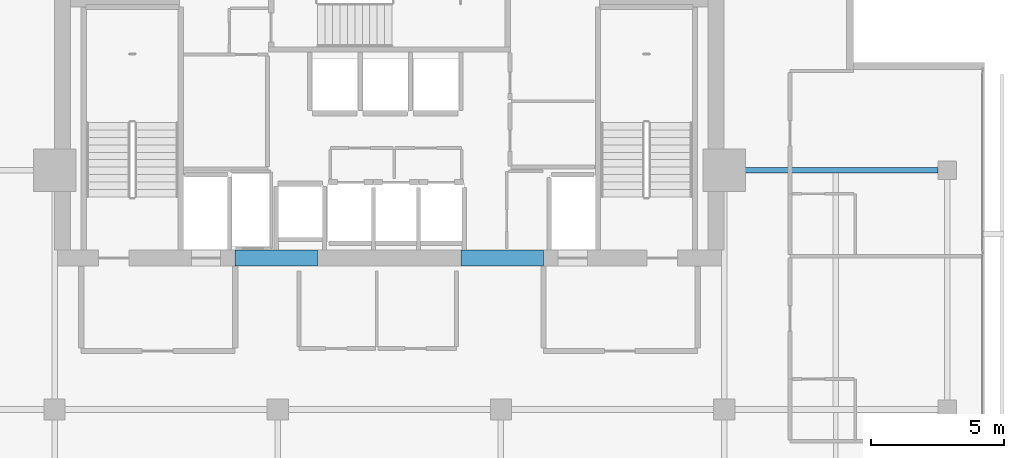
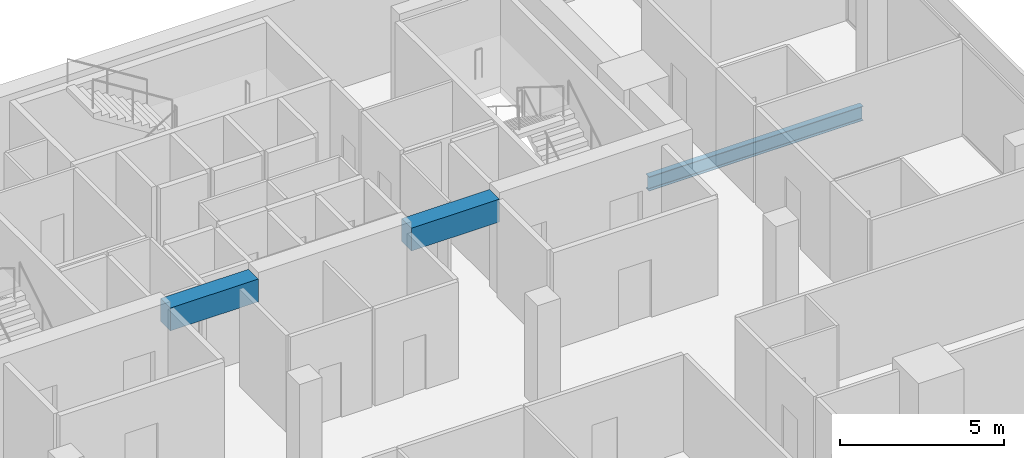
# One storey, part 17 of 26: 3 beams.
"""IFC4 building model written with IfcOpenShell, lengths in metres."""

from ifc_helpers import new_model, si_unit, direction, frame, origin, origin_2d, place, context, subcontext, project, spatial, rectangle, i_section, extrude, material, material_profile, profile_set, type_object, element, save


model = new_model("IFC4")

# Units and contexts
model_context = context("Model", 3, precision=1e-05, world=origin(), true_north=direction((0.0, 1.0)))
body_context = subcontext(model_context, "Body", "Model", "MODEL_VIEW")
ifc_project = project(units=[si_unit("LENGTHUNIT", "METRE"), si_unit("AREAUNIT", "SQUARE_METRE"), si_unit("VOLUMEUNIT", "CUBIC_METRE"), si_unit("PLANEANGLEUNIT", "RADIAN"), si_unit("MASSUNIT", "GRAM", prefix="KILO")], contexts=[model_context])

# Site, building, storey
site_placement = place(None, origin())
site = spatial("IfcSite", under=ifc_project, at=site_placement, CompositionType="ELEMENT")
building_placement = place(site_placement, origin())
building = spatial("IfcBuilding", under=site, at=building_placement, Name="Maruvema Waterfront Hotel and Observation Tower", CompositionType="ELEMENT")
storey_placement = place(building_placement, frame((0.0, 0.0, 254.800048828125)))
storey = spatial("IfcBuildingStorey", under=building, at=storey_placement, Name="L62", CompositionType="ELEMENT", Elevation=254.800048828125)

# Beams
ifc_material_1 = material(Name="Concrete C60/75", Category="concrete")
ifc_material_profile_1 = material_profile(ifc_material_1, rectangle(XDim=0.60009765625, YDim=0.85009765625, at=origin_2d()), Name="CB600x850")
ifc_profile_set_1 = profile_set([ifc_material_profile_1], Name="Concrete C60/75")
beam_type_1 = type_object("IfcBeamType", Name="Core Coupling Lintel Beam CB600x850", PredefinedType="LINTEL", material=ifc_profile_set_1)
for number, where, z_axis, x_axis, name in (
    (1, (32.0, 41.699951171875, 3.18505859375), (1.0, 0.0, 0.0), (0.0, 1.0, 0.0), "L62 Core Coupling Lintel Beam West"),
    (2, (40.5, 41.699951171875, 3.18505859375), (1.0, 0.0, 0.0), (0.0, 1.0, 0.0), "L62 Core Coupling Lintel Beam East"),
):
    element("IfcBeam", number, at=place(storey_placement, frame(where, z_axis=z_axis, x_axis=x_axis)), inside=storey, type_object=beam_type_1, Name=name, PredefinedType="LINTEL", context=body_context, shape_type="SweptSolid", body=[
        extrude(rectangle(XDim=0.60009765625, YDim=0.85009765625, at=origin_2d()), origin(), (0.0, 0.0, 1.0), 3.10009765625),
    ])
ifc_material_2 = material(Name="Steel ASTM A572 Grade 50", Category="steel")
ifc_material_profile_2 = material_profile(ifc_material_2, i_section(OverallWidth=0.208984375, OverallDepth=0.532958984375, WebThickness=0.01025390625, FlangeThickness=0.015625, FilletRadius=0.014892578125, at=origin_2d()), Name="W530x92.0")
ifc_profile_set_2 = profile_set([ifc_material_profile_2], Name="Steel ASTM A572 Grade 50")
beam_type_2 = type_object("IfcBeamType", Name="Primary Floor Girder W530x92.0", PredefinedType="BEAM", material=ifc_profile_set_2)
beam_placement = place(storey_placement, frame((50.89990234375, 45.0, -0.506591796875), z_axis=(1.0, 0.0, 0.0), x_axis=(0.0, 1.0, 0.0)))
element("IfcBeam", 3, at=beam_placement, inside=storey, type_object=beam_type_2, Name="L62 Floor Girder EW-18", PredefinedType="BEAM", context=body_context, shape_type="SweptSolid", body=[
    extrude(i_section(OverallWidth=0.208984375, OverallDepth=0.532958984375, WebThickness=0.01025390625, FlangeThickness=0.015625, FilletRadius=0.014892578125, at=origin_2d()), origin(), (0.0, 0.0, 1.0), 7.550048828125),
])

save(model, "model.ifc")
